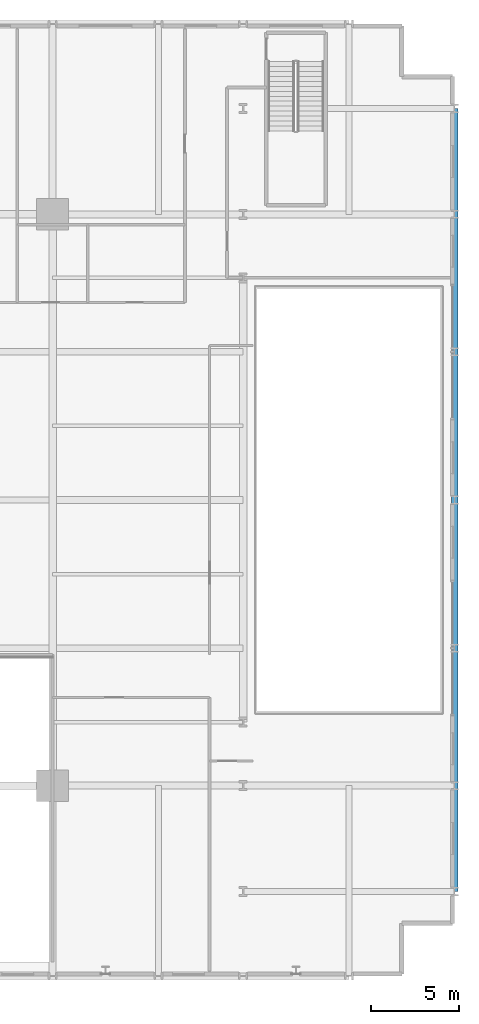
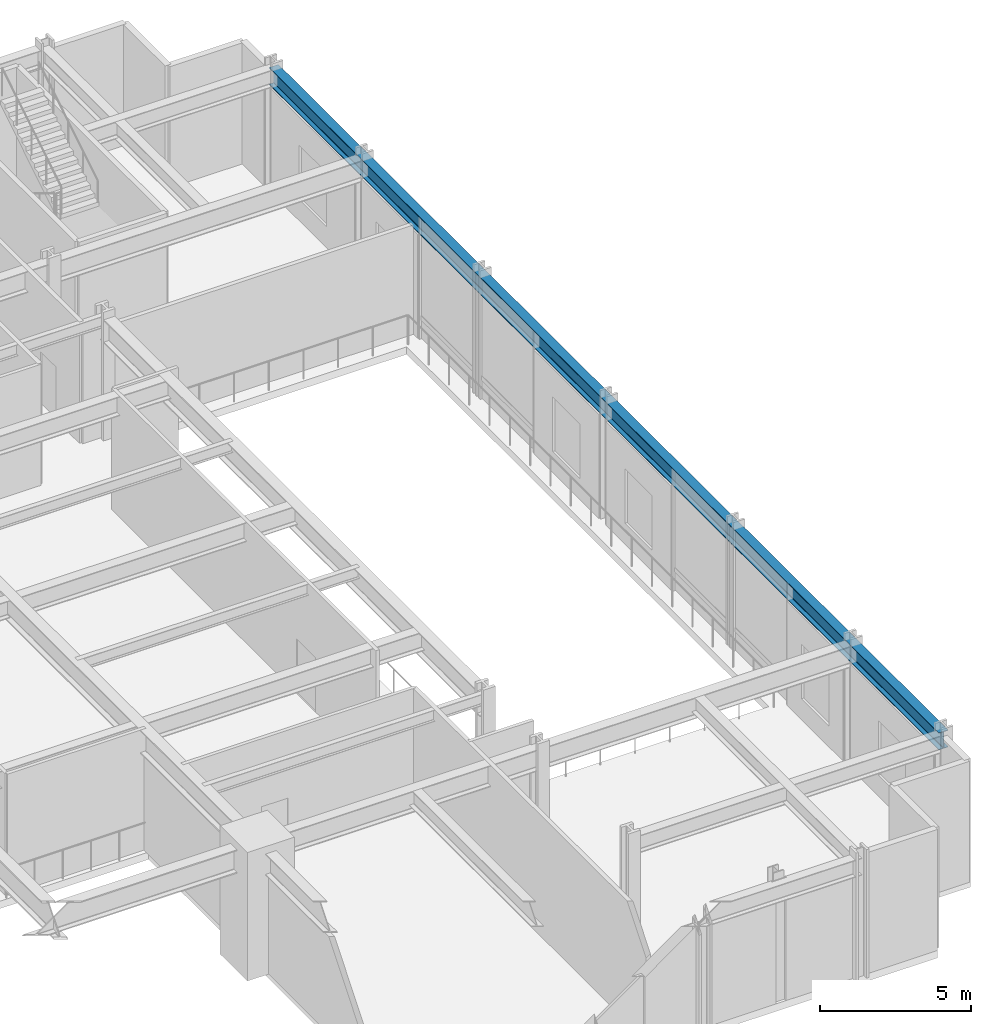
# One storey, part 8 of 19: 1 beam.
"""IFC4 building model written with IfcOpenShell, lengths in metres."""

from ifc_helpers import new_model, si_unit, direction, frame, origin, origin_2d, place, context, subcontext, project, spatial, i_section, extrude, material, material_profile, profile_set, type_object, element, save


model = new_model("IFC4")

# Units and contexts
model_context = context("Model", 3, precision=1e-05, world=origin(), true_north=direction((0.0, 1.0)))
body_context = subcontext(model_context, "Body", "Model", "MODEL_VIEW")
ifc_project = project(units=[si_unit("LENGTHUNIT", "METRE"), si_unit("AREAUNIT", "SQUARE_METRE"), si_unit("VOLUMEUNIT", "CUBIC_METRE"), si_unit("PLANEANGLEUNIT", "RADIAN"), si_unit("MASSUNIT", "GRAM", prefix="KILO")], contexts=[model_context])

# Site, building, storey
site_placement = place(None, origin())
site = spatial("IfcSite", under=ifc_project, at=site_placement, CompositionType="ELEMENT")
building_placement = place(site_placement, origin())
building = spatial("IfcBuilding", under=site, at=building_placement, Name="Drelvath Grand Hotel", CompositionType="ELEMENT")
storey_placement = place(building_placement, frame((0.0, 0.0, 17.199951171875)))
storey = spatial("IfcBuildingStorey", under=building, at=storey_placement, Name="L03", CompositionType="ELEMENT", Elevation=17.199951171875)

# Beam
ifc_material = material(Name="Steel ASTM A992 Gr 50", Category="steel")
ifc_material_profile = material_profile(ifc_material, i_section(OverallWidth=0.354736328125, OverallDepth=0.695556640625, WebThickness=0.015380859375, FlangeThickness=0.025146484375, FilletRadius=0.02392578125, at=origin_2d()), Name="W27X146")
ifc_profile_set = profile_set([ifc_material_profile], Name="Steel ASTM A992 Gr 50")
beam_type = type_object("IfcBeamType", Name="Perimeter Spandrel Beam W27X146", PredefinedType="SPANDREL", material=ifc_profile_set)
beam_placement = place(storey_placement, frame((39.0, 4.800048828125, 4.55224609375), z_axis=(0.0, 1.0, 0.0), x_axis=(-1.0, 0.0, 0.0)))
element("IfcBeam", 1, at=beam_placement, inside=storey, type_object=beam_type, Name="L03 Podium Perimeter Spandrel SPE1", PredefinedType="SPANDREL", context=body_context, shape_type="SweptSolid", body=[
    extrude(i_section(OverallWidth=0.354736328125, OverallDepth=0.695556640625, WebThickness=0.015380859375, FlangeThickness=0.025146484375, FilletRadius=0.02392578125, at=origin_2d()), origin(), (0.0, 0.0, 1.0), 44.39990234375),
])

save(model, "model.ifc")
